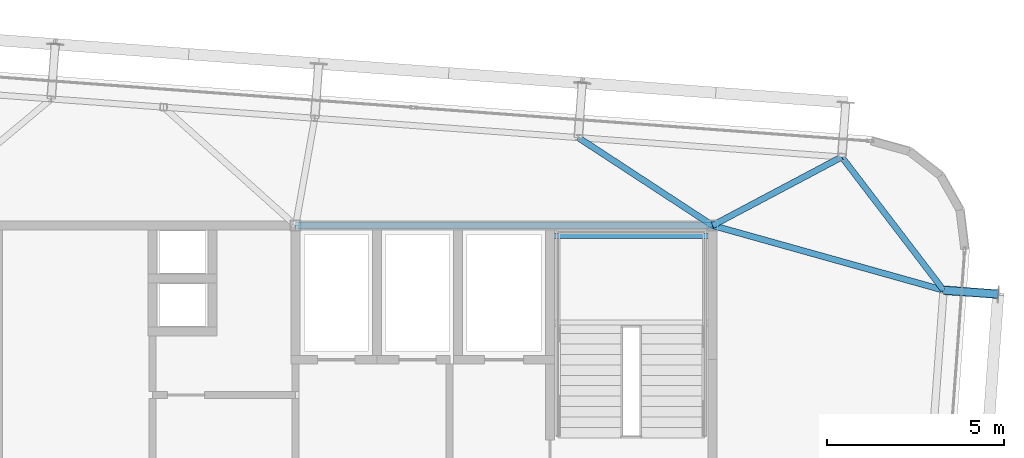
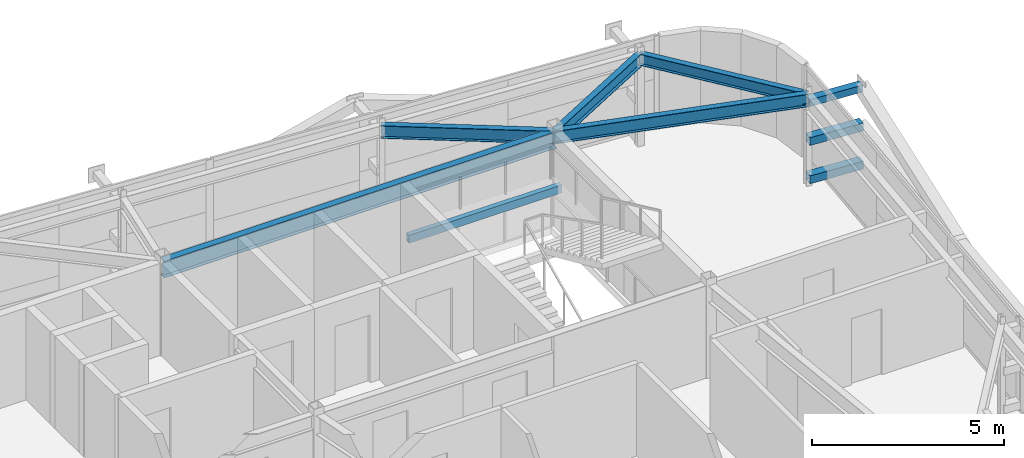
# One storey, part 18 of 34: 6 beams, 3 members.
"""IFC4 building model written with IfcOpenShell, lengths in metres."""

from ifc_helpers import new_model, si_unit, direction, frame, origin, origin_2d, place, context, subcontext, project, spatial, hollow_rectangle, i_section, extrude, source, transform, mapped, material, material_profile, profile_set, type_object, element, save


model = new_model("IFC4")

# Units and contexts
model_context = context("Model", 3, precision=1e-05, world=origin(), true_north=direction((0.0, 1.0)))
body_context = subcontext(model_context, "Body", "Model", "MODEL_VIEW")
ifc_project = project(units=[si_unit("LENGTHUNIT", "METRE"), si_unit("AREAUNIT", "SQUARE_METRE"), si_unit("VOLUMEUNIT", "CUBIC_METRE"), si_unit("PLANEANGLEUNIT", "RADIAN"), si_unit("MASSUNIT", "GRAM", prefix="KILO")], contexts=[model_context])

# Site, building, storey
site_placement = place(None, origin())
site = spatial("IfcSite", under=ifc_project, at=site_placement, CompositionType="ELEMENT")
building_placement = place(site_placement, origin())
building = spatial("IfcBuilding", under=site, at=building_placement, Name="Taldren Reach Tower", CompositionType="ELEMENT")
storey_placement = place(building_placement, frame((0.0, 0.0, 239.75)))
storey = spatial("IfcBuildingStorey", under=building, at=storey_placement, Name="L73", CompositionType="ELEMENT", Elevation=239.75)

# Beams
ifc_material_1 = material(Name="Steel Gr 350 (350PLUS)", Category="steel")
ifc_material_profile_1 = material_profile(ifc_material_1, i_section(OverallWidth=0.208984375, OverallDepth=0.532958984375, WebThickness=0.01025390625, FlangeThickness=0.015625, at=origin_2d()), Name="530UB92.4")
ifc_profile_set_1 = profile_set([ifc_material_profile_1], Name="Steel Gr 350 (350PLUS)")
beam_type_1 = type_object("IfcBeamType", Name="BM-UB530A", PredefinedType="BEAM", material=ifc_profile_set_1)
shared_shape_1 = source(origin(), body_context, "Body", "SweptSolid", [
    extrude(i_section(OverallWidth=0.208984375, OverallDepth=0.532958984375, WebThickness=0.01025390625, FlangeThickness=0.015625, at=origin_2d()), origin(), (0.0, 0.0, 1.0), 11.800048828125),
])
beam_1_placement = place(storey_placement, frame((39.199951171875, 32.0, 2.66357421875), z_axis=(1.0, 0.0, 0.0), x_axis=(0.0, 1.0, 0.0)))
element("IfcBeam", 1, at=beam_1_placement, inside=storey, type_object=beam_type_1, Name="Core-spine girder L73-SP06", PredefinedType="BEAM", context=body_context, shape_type="MappedRepresentation", body=[
    mapped(shared_shape_1, transform((0.0, 0.0, 0.0), scale=1.0)),
])
ifc_material_profile_2 = material_profile(ifc_material_1, i_section(OverallWidth=0.172119140625, OverallDepth=0.35888671875, WebThickness=0.008056640625, FlangeThickness=0.012939453125, at=origin_2d()), Name="360UB56.7")
ifc_profile_set_2 = profile_set([ifc_material_profile_2], Name="Steel Gr 350 (350PLUS)")
beam_type_2 = type_object("IfcBeamType", Name="SP-UB360", PredefinedType="SPANDREL", material=ifc_profile_set_2)
shared_shape_2 = source(origin(), body_context, "Body", "SweptSolid", [
    extrude(i_section(OverallWidth=0.172119140625, OverallDepth=0.35888671875, WebThickness=0.008056640625, FlangeThickness=0.012939453125, at=origin_2d()), origin(), (0.0, 0.0, 1.0), 4.745849609375),
])
beam_2_placement = place(storey_placement, frame((57.540771484375, 30.168701171875, 2.75048828125), z_axis=(-0.607136906115, 0.79459724215, 0.0), x_axis=(-0.79459724215, -0.607136906115, 0.0)))
element("IfcBeam", 2, at=beam_2_placement, inside=storey, type_object=beam_type_2, Name="Perimeter spandrel B5 E3-N6 L73", PredefinedType="SPANDREL", context=body_context, shape_type="MappedRepresentation", body=[
    mapped(shared_shape_2, transform((0.0, 0.0, 0.0), scale=1.0)),
])
ifc_material_profile_3 = material_profile(ifc_material_1, i_section(OverallWidth=0.177978515625, OverallDepth=0.406005859375, WebThickness=0.0078125, FlangeThickness=0.0126953125, at=origin_2d()), Name="410UB59.7")
ifc_profile_set_3 = profile_set([ifc_material_profile_3], Name="Steel Gr 350 (350PLUS)")
beam_type_3 = type_object("IfcBeamType", Name="BM-UB410", PredefinedType="BEAM", material=ifc_profile_set_3)
shared_shape_3 = source(origin(), body_context, "Body", "SweptSolid", [
    extrude(i_section(OverallWidth=0.177978515625, OverallDepth=0.406005859375, WebThickness=0.0078125, FlangeThickness=0.0126953125, at=origin_2d()), origin(), (0.0, 0.0, 1.0), 6.792236328125),
])
beam_3_placement = place(storey_placement, frame((51.0, 32.0, 2.72705078125), z_axis=(0.962968499215, -0.269613926789, 0.0), x_axis=(0.269613926789, 0.962968499215, 0.0)))
element("IfcBeam", 3, at=beam_3_placement, inside=storey, type_object=beam_type_3, Name="Primary floor girder B5-E3 L73", PredefinedType="BEAM", context=body_context, shape_type="MappedRepresentation", body=[
    mapped(shared_shape_3, transform((0.0, 0.0, 0.0), scale=1.0)),
])
shared_shape_4 = source(origin(), body_context, "Body", "SweptSolid", [
    extrude(i_section(OverallWidth=0.177978515625, OverallDepth=0.406005859375, WebThickness=0.0078125, FlangeThickness=0.0126953125, at=origin_2d()), origin(), (0.0, 0.0, 1.0), 4.1416015625),
])
beam_4_placement = place(storey_placement, frame((51.0, 32.0, 2.72705078125), z_axis=(0.883552655042, 0.468331832965, 0.0), x_axis=(-0.468331832965, 0.883552655042, 0.0)))
element("IfcBeam", 4, at=beam_4_placement, inside=storey, type_object=beam_type_3, Name="Primary floor girder B5-N6 L73", PredefinedType="BEAM", context=body_context, shape_type="MappedRepresentation", body=[
    mapped(shared_shape_4, transform((0.0, 0.0, 0.0), scale=1.0)),
])
shared_shape_5 = source(origin(), body_context, "Body", "SweptSolid", [
    extrude(i_section(OverallWidth=0.177978515625, OverallDepth=0.406005859375, WebThickness=0.0078125, FlangeThickness=0.0126953125, at=origin_2d()), origin(), (0.0, 0.0, 1.0), 4.542236328125),
])
beam_5_placement = place(storey_placement, frame((51.0, 32.0, 2.72705078125), z_axis=(-0.836709129479, 0.547647544181, 0.0), x_axis=(-0.547647544181, -0.836709129479, 0.0)))
element("IfcBeam", 5, at=beam_5_placement, inside=storey, type_object=beam_type_3, Name="Primary floor girder B5-N5 L73", PredefinedType="BEAM", context=body_context, shape_type="MappedRepresentation", body=[
    mapped(shared_shape_5, transform((0.0, 0.0, 0.0), scale=1.0)),
])

# Members
ifc_material_2 = material(Name="Steel Gr 450 (C450L0)", Category="steel")
ifc_material_profile_4 = material_profile(ifc_material_2, hollow_rectangle(XDim=0.219970703125, YDim=0.219970703125, WallThickness=0.00830078125, at=origin_2d()), Name="220x220x8.2SHS")
ifc_profile_set_4 = profile_set([ifc_material_profile_4], Name="Steel Gr 450 (C450L0)")
member_type_1 = type_object("IfcMemberType", Name="MB-TIE219", PredefinedType="STRUT", material=ifc_profile_set_4)
shared_shape_6 = source(origin(), body_context, "Body", "SweptSolid", [
    extrude(hollow_rectangle(XDim=0.219970703125, YDim=0.219970703125, WallThickness=0.00830078125, at=origin_2d()), origin(), (0.0, 0.0, 1.0), 1.5458984375),
])
member_placement = place(storey_placement, frame((57.544921875, 30.168212890625, 2.64990234375), z_axis=(0.99732305975, -0.073121231459, 0.0), x_axis=(0.073121231459, 0.99732305975, 0.0)))
element("IfcMember", 6, at=member_placement, inside=storey, type_object=member_type_1, Name="Exoskeleton diaphragm tie strut B5-E3 L73", PredefinedType="STRUT", context=body_context, shape_type="MappedRepresentation", body=[
    mapped(shared_shape_6, transform((0.0, 0.0, 0.0), scale=1.0)),
])
ifc_material_3 = material(Name="Steel Gr 350 (C350L0)", Category="steel")
ifc_material_profile_5 = material_profile(ifc_material_3, hollow_rectangle(XDim=0.25, YDim=0.25, WallThickness=0.010009765625, at=origin_2d()), Name="250x250x10.0SHS")
ifc_profile_set_5 = profile_set([ifc_material_profile_5], Name="Steel Gr 350 (C350L0)")
member_type_2 = type_object("IfcMemberType", Name="MB-POST250", PredefinedType="POST", material=ifc_profile_set_5)
shared_shape_7 = source(origin(), body_context, "Body", "SweptSolid", [
    extrude(hollow_rectangle(XDim=0.25, YDim=0.25, WallThickness=0.010009765625, at=origin_2d()), origin(), (0.0, 0.0, 1.0), 1.5458984375),
])
for number, where, z_axis, x_axis, name in (
    (7, (57.544921875, 30.168212890625, 0.219970703125), (0.99732305975, -0.073121231459, 0.0), (0.073121231459, 0.99732305975, 0.0), "Exoskeleton base diaphragm tie strut B5-E3 L73"),
    (8, (57.544921875, 30.168212890625, 1.43505859375), (0.99732305975, -0.073121231459, 0.0), (0.073121231459, 0.99732305975, 0.0), "Exoskeleton mid-tier diaphragm tie B5-E3 L73"),
):
    element("IfcMember", number, at=place(storey_placement, frame(where, z_axis=z_axis, x_axis=x_axis)), inside=storey, type_object=member_type_2, Name=name, PredefinedType="POST", context=body_context, shape_type="MappedRepresentation", body=[
        mapped(shared_shape_7, transform((0.0, 0.0, 0.0), scale=1.0)),
    ])

# Beam
ifc_material_profile_6 = material_profile(ifc_material_3, hollow_rectangle(XDim=0.14990234375, YDim=0.25, WallThickness=0.009033203125, at=origin_2d()), Name="250x150x9.0RHS")
ifc_profile_set_6 = profile_set([ifc_material_profile_6], Name="Steel Gr 350 (C350L0)")
beam_type_4 = type_object("IfcBeamType", Name="LN-RHS250", PredefinedType="LINTEL", material=ifc_profile_set_6)
shared_shape_8 = source(origin(), body_context, "Body", "SweptSolid", [
    extrude(hollow_rectangle(XDim=0.14990234375, YDim=0.25, WallThickness=0.009033203125, at=origin_2d()), origin(), (0.0, 0.0, 1.0), 4.60009765625),
])
beam_6_placement = place(storey_placement, frame((46.39990234375, 31.699951171875, 1.27001953125), z_axis=(1.0, 0.0, 0.0), x_axis=(0.0, 1.0, 0.0)))
element("IfcBeam", 9, at=beam_6_placement, inside=storey, type_object=beam_type_4, Name="Stair half-landing support beam ST2-L73-2", PredefinedType="LINTEL", context=body_context, shape_type="MappedRepresentation", body=[
    mapped(shared_shape_8, transform((0.0, 0.0, 0.0), scale=1.0)),
])

save(model, "model.ifc")
